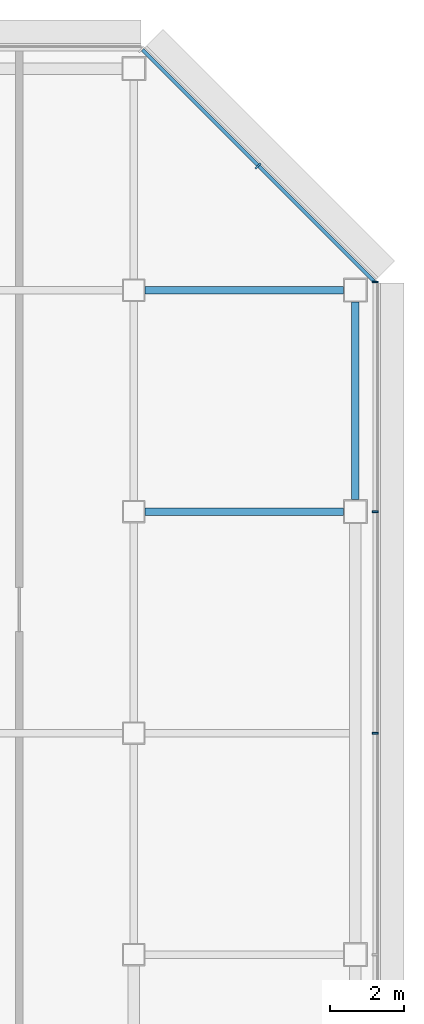
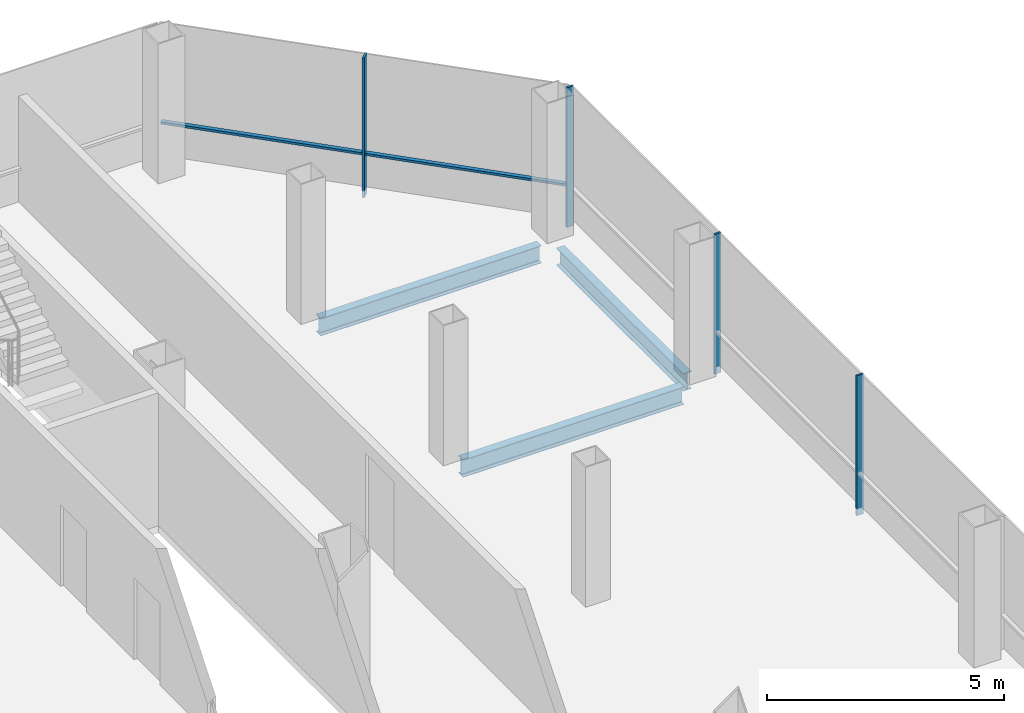
# One storey, part 18 of 26: 5 members, 3 beams, 2 elements without a shape of their own.
"""IFC4 building model written with IfcOpenShell, lengths in metres."""

from ifc_helpers import new_model, si_unit, direction, frame, origin, origin_2d, place, context, subcontext, project, spatial, rectangle, i_section, extrude, material, material_profile, profile_set, type_object, element, aggregate, save


model = new_model("IFC4")

# Units and contexts
model_context = context("Model", 3, precision=1e-05, world=origin(), true_north=direction((0.0, 1.0)))
body_context = subcontext(model_context, "Body", "Model", "MODEL_VIEW")
ifc_project = project(units=[si_unit("LENGTHUNIT", "METRE"), si_unit("AREAUNIT", "SQUARE_METRE"), si_unit("VOLUMEUNIT", "CUBIC_METRE"), si_unit("PLANEANGLEUNIT", "RADIAN"), si_unit("MASSUNIT", "GRAM", prefix="KILO")], contexts=[model_context])

# Site, building, storey
site_placement = place(None, origin())
site = spatial("IfcSite", under=ifc_project, at=site_placement, CompositionType="ELEMENT")
building_placement = place(site_placement, origin())
building = spatial("IfcBuilding", under=site, at=building_placement, Name="Sorahane Residences", CompositionType="ELEMENT")
storey_placement = place(building_placement, frame((0.0, 0.0, 215.39990234375)))
storey = spatial("IfcBuildingStorey", under=building, at=storey_placement, Name="L50", CompositionType="ELEMENT", Elevation=215.39990234375)

# Curtain wall, members
ifc_material_1 = material(Name="Dark low-e glass and black anodised aluminium", Category="aluminium")
curtain_wall_type_1 = type_object("IfcCurtainWallType", Name="Curtain wall CW-1 Typical unitised wall", PredefinedType="NOTDEFINED", material=ifc_material_1)
curtain_wall_1_placement = place(storey_placement, origin())
curtain_wall_1 = element("IfcCurtainWall", 1, at=curtain_wall_1_placement, inside=storey, type_object=curtain_wall_type_1, Name="CW-1 curtain wall L50 E1", PredefinedType="NOTDEFINED")
ifc_material_2 = material(Name="Black anodised aluminium", Category="aluminium")
ifc_material_profile_1 = material_profile(ifc_material_2, rectangle(XDim=0.159912109375, YDim=0.050048828125, at=origin_2d()), Name="Curtain wall mullion CW-1 black anodised aluminium 50x160")
ifc_profile_set_1 = profile_set([ifc_material_profile_1], Name="Black anodised aluminium")
member_type_1 = type_object("IfcMemberType", Name="Curtain wall mullion CW-1 black anodised aluminium 50x160", PredefinedType="MULLION", material=ifc_profile_set_1)
member_1_placement = place(storey_placement, frame((54.5400390625, 30.0, -0.179931640625), z_axis=(0.0, 0.0, 1.0), x_axis=(1.0, 0.0, 0.0)))
member_1 = element("IfcMember", 2, at=member_1_placement, type_object=member_type_1, Name="CW-1 mullion L50 E1.5", PredefinedType="MULLION", context=body_context, shape_type="SweptSolid", body=[
    extrude(rectangle(XDim=0.159912109375, YDim=0.050048828125, at=origin_2d()), origin(), (0.0, 0.0, 1.0), 3.60009765625),
])
member_2_placement = place(storey_placement, frame((54.5400390625, 36.0, -0.179931640625), z_axis=(0.0, 0.0, 1.0), x_axis=(1.0, 0.0, 0.0)))
member_2 = element("IfcMember", 3, at=member_2_placement, type_object=member_type_1, Name="CW-1 mullion L50 E1.6", PredefinedType="MULLION", context=body_context, shape_type="SweptSolid", body=[
    extrude(rectangle(XDim=0.159912109375, YDim=0.050048828125, at=origin_2d()), origin(), (0.0, 0.0, 1.0), 3.60009765625),
])
member_3_placement = place(storey_placement, frame((54.5400390625, 42.2236328125, -0.179931640625), z_axis=(0.0, 0.0, 1.0), x_axis=(1.0, 0.0, 0.0)))
member_3 = element("IfcMember", 4, at=member_3_placement, type_object=member_type_1, Name="CW-1 mullion L50 E1.7", PredefinedType="MULLION", context=body_context, shape_type="SweptSolid", body=[
    extrude(rectangle(XDim=0.159912109375, YDim=0.050048828125, at=origin_2d()), origin(), (0.0, 0.0, 1.0), 3.60009765625),
])
aggregate(curtain_wall_1, [member_1, member_2, member_3])

ifc_material_3 = material(Name="Dark low-e glass and black anodised aluminium", Category="aluminium")
curtain_wall_type_2 = type_object("IfcCurtainWallType", Name="Curtain wall CW-2 Chamfer unitised wall", PredefinedType="NOTDEFINED", material=ifc_material_3)
curtain_wall_2_placement = place(storey_placement, origin())
curtain_wall_2 = element("IfcCurtainWall", 5, at=curtain_wall_2_placement, inside=storey, type_object=curtain_wall_type_2, Name="CW-2 curtain wall L50 NE1", PredefinedType="NOTDEFINED")
ifc_material_4 = material(Name="Black anodised aluminium", Category="aluminium")
ifc_material_profile_2 = material_profile(ifc_material_4, rectangle(XDim=0.199951171875, YDim=0.050048828125, at=origin_2d()), Name="Curtain wall mullion CW-2 black anodised aluminium 50x200")
ifc_profile_set_2 = profile_set([ifc_material_profile_2], Name="Black anodised aluminium")
member_type_2 = type_object("IfcMemberType", Name="Curtain wall mullion CW-2 black anodised aluminium 50x200", PredefinedType="MULLION", material=ifc_profile_set_2)
member_4_placement = place(storey_placement, frame((51.36767578125, 45.36767578125, -0.179931640625), z_axis=(0.0, 0.0, 1.0), x_axis=(0.707106781187, 0.707106781187, 0.0)))
member_4 = element("IfcMember", 6, at=member_4_placement, type_object=member_type_2, Name="CW-2 mullion L50 NE1.2", PredefinedType="MULLION", context=body_context, shape_type="SweptSolid", body=[
    extrude(rectangle(XDim=0.199951171875, YDim=0.050048828125, at=origin_2d()), origin(), (0.0, 0.0, 1.0), 3.60009765625),
])
ifc_material_5 = material(Name="Black anodised aluminium", Category="aluminium")
ifc_material_profile_3 = material_profile(ifc_material_5, rectangle(XDim=0.10009765625, YDim=0.06005859375, at=origin_2d()), Name="Curtain wall transom CW-2 black anodised aluminium 60x100")
ifc_profile_set_3 = profile_set([ifc_material_profile_3], Name="Black anodised aluminium")
member_type_3 = type_object("IfcMemberType", Name="Curtain wall transom CW-2 black anodised aluminium 60x100", PredefinedType="USERDEFINED", material=ifc_profile_set_3)
member_5_placement = place(storey_placement, frame((54.51513671875, 42.234375, 0.900146484375), z_axis=(-0.707106781187, 0.707106781187, 0.0), x_axis=(-0.707106781187, -0.707106781187, 0.0)))
member_5 = element("IfcMember", 7, at=member_5_placement, type_object=member_type_3, Name="CW-2 transom L50 NE1", ObjectType="TRANSOM", PredefinedType="USERDEFINED", context=body_context, shape_type="SweptSolid", body=[
    extrude(rectangle(XDim=0.10009765625, YDim=0.06005859375, at=origin_2d()), origin(), (0.0, 0.0, 1.0), 8.88232421875),
])
aggregate(curtain_wall_2, [member_4, member_5])

# Beams
ifc_material_6 = material(Name="Steel Q355B", Category="steel")
ifc_material_profile_4 = material_profile(ifc_material_6, i_section(OverallWidth=0.199951171875, OverallDepth=0.449951171875, WebThickness=0.009033203125, FlangeThickness=0.013916015625, FilletRadius=0.02001953125, at=origin_2d()), Name="HN 450x200x9x14")
ifc_profile_set_4 = profile_set([ifc_material_profile_4], Name="Steel Q355B")
beam_type = type_object("IfcBeamType", Name="Steel floor beam HN 450x200x9x14 Q355B", PredefinedType="BEAM", material=ifc_profile_set_4)
beam_1_placement = place(storey_placement, frame((48.300048828125, 36.0, -0.40478515625), z_axis=(1.0, 0.0, 0.0), x_axis=(0.0, 1.0, 0.0)))
element("IfcBeam", 8, at=beam_1_placement, inside=storey, type_object=beam_type, Name="Beam L50 014", PredefinedType="BEAM", context=body_context, shape_type="SweptSolid", body=[
    extrude(i_section(OverallWidth=0.199951171875, OverallDepth=0.449951171875, WebThickness=0.009033203125, FlangeThickness=0.013916015625, FilletRadius=0.02001953125, at=origin_2d()), origin(), (0.0, 0.0, 1.0), 5.375),
])
beam_2_placement = place(storey_placement, frame((54.0, 36.324951171875, -0.40478515625), z_axis=(0.0, 1.0, 0.0), x_axis=(-1.0, 0.0, 0.0)))
element("IfcBeam", 9, at=beam_2_placement, inside=storey, type_object=beam_type, Name="Beam L50 067", PredefinedType="BEAM", context=body_context, shape_type="SweptSolid", body=[
    extrude(i_section(OverallWidth=0.199951171875, OverallDepth=0.449951171875, WebThickness=0.009033203125, FlangeThickness=0.013916015625, FilletRadius=0.02001953125, at=origin_2d()), origin(), (0.0, 0.0, 1.0), 5.35009765625),
])
beam_3_placement = place(storey_placement, frame((48.300048828125, 42.0, -0.40478515625), z_axis=(1.0, 0.0, 0.0), x_axis=(0.0, 1.0, 0.0)))
element("IfcBeam", 10, at=beam_3_placement, inside=storey, type_object=beam_type, Name="Beam L50 092", PredefinedType="BEAM", context=body_context, shape_type="SweptSolid", body=[
    extrude(i_section(OverallWidth=0.199951171875, OverallDepth=0.449951171875, WebThickness=0.009033203125, FlangeThickness=0.013916015625, FilletRadius=0.02001953125, at=origin_2d()), origin(), (0.0, 0.0, 1.0), 5.375),
])

save(model, "model.ifc")
